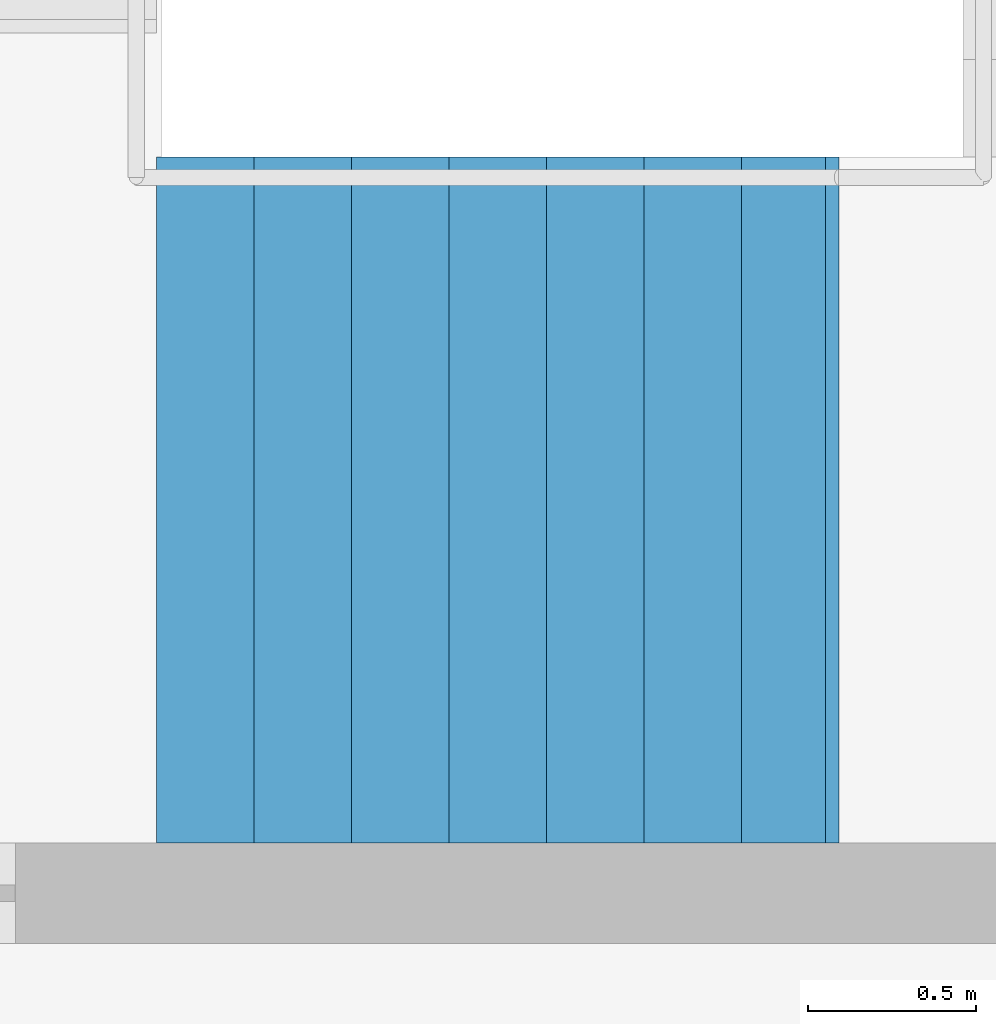
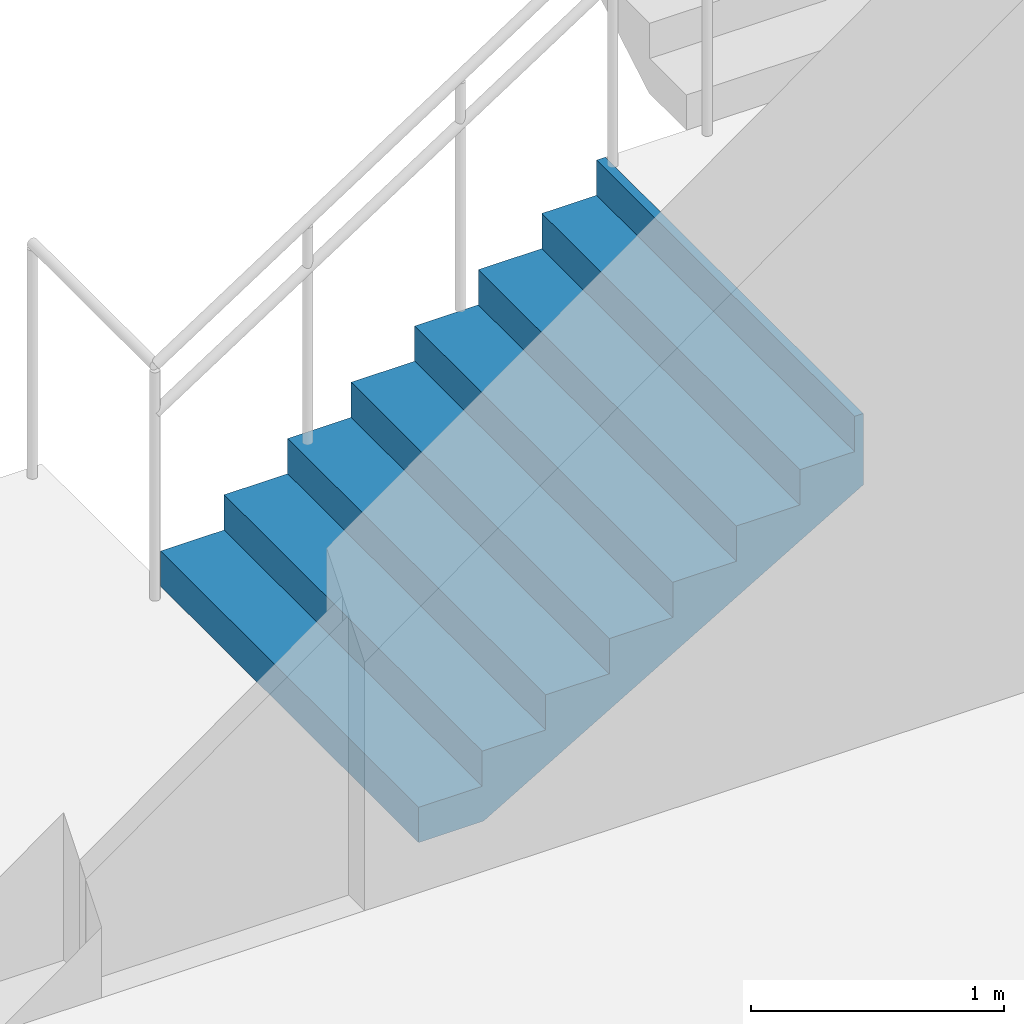
# One storey, part 35 of 50: 1 stair flight, 1 element without a shape of its own.
"""IFC4 building model written with IfcOpenShell, lengths in metres."""

from ifc_helpers import new_model, si_unit, direction, frame, origin, place, context, subcontext, project, spatial, triangles, material, type_object, element, aggregate, save


model = new_model("IFC4")

# Units and contexts
model_context = context("Model", 3, precision=1e-05, world=origin(), true_north=direction((0.0, 1.0)))
body_context = subcontext(model_context, "Body", "Model", "MODEL_VIEW")
ifc_project = project(units=[si_unit("LENGTHUNIT", "METRE"), si_unit("AREAUNIT", "SQUARE_METRE"), si_unit("VOLUMEUNIT", "CUBIC_METRE"), si_unit("PLANEANGLEUNIT", "RADIAN"), si_unit("MASSUNIT", "GRAM", prefix="KILO")], contexts=[model_context])

# Site, building, storey
site_placement = place(None, origin())
site = spatial("IfcSite", under=ifc_project, at=site_placement, CompositionType="ELEMENT")
building_placement = place(site_placement, origin())
building = spatial("IfcBuilding", under=site, at=building_placement, Name="Sillaruma Civic Art Gallery", CompositionType="ELEMENT")
storey_placement = place(building_placement, origin())
storey = spatial("IfcBuildingStorey", under=building, at=storey_placement, Name="L00", CompositionType="ELEMENT", Elevation=0.0)

# Stair, stair flight
ifc_material = material(Name="Concrete H35 (35 MPa)", Category="concrete")
stair_type = type_object("IfcStairType", Name="STR-4F-32", PredefinedType="USERDEFINED", material=ifc_material)
stair_placement = place(storey_placement, origin())
stair = element("IfcStair", 1, at=stair_placement, inside=storey, type_object=stair_type, Name="Protected Exit Stair ST-01 (West Wing) (L00)", ObjectType="THREE_RETURN_STAIR", PredefinedType="USERDEFINED")
stair_flight_type = type_object("IfcStairFlightType", Name="SFL-STR-8", PredefinedType="STRAIGHT", material=ifc_material)
stair_flight_placement = place(storey_placement, frame((27.60009765625, 101.719970703125, 0.0), z_axis=(0.0, 0.0, 1.0), x_axis=(1.0, 0.0, 0.0)))
stair_flight = element("IfcStairFlight", 2, at=stair_flight_placement, type_object=stair_flight_type, Name="ST-01 flight 1", NumberOfRisers=8, NumberOfTreads=7, PredefinedType="STRAIGHT", RiserHeight=0.17, TreadLength=0.29, context=body_context, shape_type="Tessellation", body=[
    triangles([(0.0, -1.02001953125, 0.0), (0.29, -1.02001953125, 0.0), (0.296443, -1.02001953125, 0.0), (0.58, -1.02001953125, 0.166223), (0.87, -1.02001953125, 0.336223), (1.16, -1.02001953125, 0.506223), (1.45, -1.02001953125, 0.676223), (1.74, -1.02001953125, 0.846223), (1.990029, -1.02001953125, 0.992792), (2.030029, -1.02001953125, 1.01624), (2.030029, -1.02001953125, 1.36), (1.990029, -1.02001953125, 1.36), (1.990029, -1.02001953125, 1.19), (1.74, -1.02001953125, 1.19), (1.74, -1.02001953125, 1.02), (1.45, -1.02001953125, 1.02), (1.45, -1.02001953125, 0.85), (1.16, -1.02001953125, 0.85), (1.16, -1.02001953125, 0.68), (0.87, -1.02001953125, 0.68), (0.87, -1.02001953125, 0.51), (0.58, -1.02001953125, 0.51), (0.58, -1.02001953125, 0.34), (0.296443, -1.02001953125, 0.34), (0.29, -1.02001953125, 0.34), (0.29, -1.02001953125, 0.17), (0.0, -1.02001953125, 0.17), (0.0, -0.05, 0.0), (0.29, -0.05, 0.0), (0.296443, -0.05, 0.0), (0.58, -0.05, 0.166223), (0.87, -0.05, 0.336223), (1.16, -0.05, 0.506223), (1.45, -0.05, 0.676223), (1.74, -0.05, 0.846223), (1.990029, -0.05, 0.992792), (2.030029, -0.05, 1.01624), (2.030029, -0.05, 1.36), (1.990029, -0.05, 1.36), (1.990029, -0.05, 1.19), (1.74, -0.05, 1.19), (1.74, -0.05, 1.02), (1.45, -0.05, 1.02), (1.45, -0.05, 0.85), (1.16, -0.05, 0.85), (1.16, -0.05, 0.68), (0.87, -0.05, 0.68), (0.87, -0.05, 0.51), (0.58, -0.05, 0.51), (0.58, -0.05, 0.34), (0.296443, -0.05, 0.34), (0.29, -0.05, 0.34), (0.29, -0.05, 0.17), (0.0, -0.05, 0.17), (0.0, -0.0375, 0.0), (0.29, -0.0375, 0.0), (0.296443, -0.0375, 0.0), (0.58, -0.0375, 0.166223), (0.87, -0.0375, 0.336223), (1.16, -0.0375, 0.506223), (1.45, -0.0375, 0.676223), (1.74, -0.0375, 0.846223), (1.990029, -0.0375, 0.992792), (2.030029, -0.0375, 1.01624), (2.030029, -0.0375, 1.36), (1.990029, -0.0375, 1.36), (1.990029, -0.0375, 1.19), (1.74, -0.0375, 1.19), (1.74, -0.0375, 1.02), (1.45, -0.0375, 1.02), (1.45, -0.0375, 0.85), (1.16, -0.0375, 0.85), (1.16, -0.0375, 0.68), (0.87, -0.0375, 0.68), (0.87, -0.0375, 0.51), (0.58, -0.0375, 0.51), (0.58, -0.0375, 0.34), (0.296443, -0.0375, 0.34), (0.29, -0.0375, 0.34), (0.29, -0.0375, 0.17), (0.0, -0.0375, 0.17), (0.0, -0.025, 0.0), (0.29, -0.025, 0.0), (0.296443, -0.025, 0.0), (0.58, -0.025, 0.166223), (0.87, -0.025, 0.336223), (1.16, -0.025, 0.506223), (1.45, -0.025, 0.676223), (1.74, -0.025, 0.846223), (1.990029, -0.025, 0.992792), (2.030029, -0.025, 1.01624), (2.030029, -0.025, 1.36), (1.990029, -0.025, 1.36), (1.990029, -0.025, 1.19), (1.74, -0.025, 1.19), (1.74, -0.025, 1.02), (1.45, -0.025, 1.02), (1.45, -0.025, 0.85), (1.16, -0.025, 0.85), (1.16, -0.025, 0.68), (0.87, -0.025, 0.68), (0.87, -0.025, 0.51), (0.58, -0.025, 0.51), (0.58, -0.025, 0.34), (0.296443, -0.025, 0.34), (0.29, -0.025, 0.34), (0.29, -0.025, 0.17), (0.0, -0.025, 0.17), (0.0, -0.0125, 0.0), (0.29, -0.0125, 0.0), (0.296443, -0.0125, 0.0), (0.58, -0.0125, 0.166223), (0.87, -0.0125, 0.336223), (1.16, -0.0125, 0.506223), (1.45, -0.0125, 0.676223), (1.74, -0.0125, 0.846223), (1.990029, -0.0125, 0.992792), (2.030029, -0.0125, 1.01624), (2.030029, -0.0125, 1.36), (1.990029, -0.0125, 1.36), (1.990029, -0.0125, 1.19), (1.74, -0.0125, 1.19), (1.74, -0.0125, 1.02), (1.45, -0.0125, 1.02), (1.45, -0.0125, 0.85), (1.16, -0.0125, 0.85), (1.16, -0.0125, 0.68), (0.87, -0.0125, 0.68), (0.87, -0.0125, 0.51), (0.58, -0.0125, 0.51), (0.58, -0.0125, 0.34), (0.296443, -0.0125, 0.34), (0.29, -0.0125, 0.34), (0.29, -0.0125, 0.17), (0.0, -0.0125, 0.17), (0.0, 0.0, 0.0), (0.29, 0.0, 0.0), (0.296443, 0.0, 0.0), (0.58, 0.0, 0.166223), (0.87, 0.0, 0.336223), (1.16, 0.0, 0.506223), (1.45, 0.0, 0.676223), (1.74, 0.0, 0.846223), (1.990029, 0.0, 0.992792), (2.030029, 0.0, 1.01624), (2.030029, 0.0, 1.36), (1.990029, 0.0, 1.36), (1.990029, 0.0, 1.19), (1.74, 0.0, 1.19), (1.74, 0.0, 1.02), (1.45, 0.0, 1.02), (1.45, 0.0, 0.85), (1.16, 0.0, 0.85), (1.16, 0.0, 0.68), (0.87, 0.0, 0.68), (0.87, 0.0, 0.51), (0.58, 0.0, 0.51), (0.58, 0.0, 0.34), (0.296443, 0.0, 0.34), (0.29, 0.0, 0.34), (0.29, 0.0, 0.17), (0.0, 0.0, 0.17), (0.0, 0.0125, 0.0), (0.29, 0.0125, 0.0), (0.296443, 0.0125, 0.0), (0.58, 0.0125, 0.166223), (0.87, 0.0125, 0.336223), (1.16, 0.0125, 0.506223), (1.45, 0.0125, 0.676223), (1.74, 0.0125, 0.846223), (1.990029, 0.0125, 0.992792), (2.030029, 0.0125, 1.01624), (2.030029, 0.0125, 1.36), (1.990029, 0.0125, 1.36), (1.990029, 0.0125, 1.19), (1.74, 0.0125, 1.19), (1.74, 0.0125, 1.02), (1.45, 0.0125, 1.02), (1.45, 0.0125, 0.85), (1.16, 0.0125, 0.85), (1.16, 0.0125, 0.68), (0.87, 0.0125, 0.68), (0.87, 0.0125, 0.51), (0.58, 0.0125, 0.51), (0.58, 0.0125, 0.34), (0.296443, 0.0125, 0.34), (0.29, 0.0125, 0.34), (0.29, 0.0125, 0.17), (0.0, 0.0125, 0.17), (0.0, 0.025, 0.0), (0.29, 0.025, 0.0), (0.296443, 0.025, 0.0), (0.58, 0.025, 0.166223), (0.87, 0.025, 0.336223), (1.16, 0.025, 0.506223), (1.45, 0.025, 0.676223), (1.74, 0.025, 0.846223), (1.990029, 0.025, 0.992792), (2.030029, 0.025, 1.01624), (2.030029, 0.025, 1.36), (1.990029, 0.025, 1.36), (1.990029, 0.025, 1.19), (1.74, 0.025, 1.19), (1.74, 0.025, 1.02), (1.45, 0.025, 1.02), (1.45, 0.025, 0.85), (1.16, 0.025, 0.85), (1.16, 0.025, 0.68), (0.87, 0.025, 0.68), (0.87, 0.025, 0.51), (0.58, 0.025, 0.51), (0.58, 0.025, 0.34), (0.296443, 0.025, 0.34), (0.29, 0.025, 0.34), (0.29, 0.025, 0.17), (0.0, 0.025, 0.17), (0.0, 0.0375, 0.0), (0.29, 0.0375, 0.0), (0.296443, 0.0375, 0.0), (0.58, 0.0375, 0.166223), (0.87, 0.0375, 0.336223), (1.16, 0.0375, 0.506223), (1.45, 0.0375, 0.676223), (1.74, 0.0375, 0.846223), (1.990029, 0.0375, 0.992792), (2.030029, 0.0375, 1.01624), (2.030029, 0.0375, 1.36), (1.990029, 0.0375, 1.36), (1.990029, 0.0375, 1.19), (1.74, 0.0375, 1.19), (1.74, 0.0375, 1.02), (1.45, 0.0375, 1.02), (1.45, 0.0375, 0.85), (1.16, 0.0375, 0.85), (1.16, 0.0375, 0.68), (0.87, 0.0375, 0.68), (0.87, 0.0375, 0.51), (0.58, 0.0375, 0.51), (0.58, 0.0375, 0.34), (0.296443, 0.0375, 0.34), (0.29, 0.0375, 0.34), (0.29, 0.0375, 0.17), (0.0, 0.0375, 0.17), (0.0, 0.05, 0.0), (0.29, 0.05, 0.0), (0.296443, 0.05, 0.0), (0.58, 0.05, 0.166223), (0.87, 0.05, 0.336223), (1.16, 0.05, 0.506223), (1.45, 0.05, 0.676223), (1.74, 0.05, 0.846223), (1.990029, 0.05, 0.992792), (2.030029, 0.05, 1.01624), (2.030029, 0.05, 1.36), (1.990029, 0.05, 1.36), (1.990029, 0.05, 1.19), (1.74, 0.05, 1.19), (1.74, 0.05, 1.02), (1.45, 0.05, 1.02), (1.45, 0.05, 0.85), (1.16, 0.05, 0.85), (1.16, 0.05, 0.68), (0.87, 0.05, 0.68), (0.87, 0.05, 0.51), (0.58, 0.05, 0.51), (0.58, 0.05, 0.34), (0.296443, 0.05, 0.34), (0.29, 0.05, 0.34), (0.29, 0.05, 0.17), (0.0, 0.05, 0.17), (0.0, 1.02001953125, 0.0), (0.29, 1.02001953125, 0.0), (0.296443, 1.02001953125, 0.0), (0.58, 1.02001953125, 0.166223), (0.87, 1.02001953125, 0.336223), (1.16, 1.02001953125, 0.506223), (1.45, 1.02001953125, 0.676223), (1.74, 1.02001953125, 0.846223), (1.990029, 1.02001953125, 0.992792), (2.030029, 1.02001953125, 1.01624), (2.030029, 1.02001953125, 1.36), (1.990029, 1.02001953125, 1.36), (1.990029, 1.02001953125, 1.19), (1.74, 1.02001953125, 1.19), (1.74, 1.02001953125, 1.02), (1.45, 1.02001953125, 1.02), (1.45, 1.02001953125, 0.85), (1.16, 1.02001953125, 0.85), (1.16, 1.02001953125, 0.68), (0.87, 1.02001953125, 0.68), (0.87, 1.02001953125, 0.51), (0.58, 1.02001953125, 0.51), (0.58, 1.02001953125, 0.34), (0.296443, 1.02001953125, 0.34), (0.29, 1.02001953125, 0.34), (0.29, 1.02001953125, 0.17), (0.0, 1.02001953125, 0.17)], [[1, 2, 26], [1, 26, 27], [2, 3, 24], [2, 24, 26], [26, 24, 25], [3, 4, 23], [3, 23, 24], [4, 5, 21], [4, 21, 23], [23, 21, 22], [5, 6, 19], [5, 19, 21], [21, 19, 20], [6, 7, 17], [6, 17, 19], [19, 17, 18], [7, 8, 15], [7, 15, 17], [17, 15, 16], [8, 9, 13], [8, 13, 15], [15, 13, 14], [9, 10, 11], [9, 11, 13], [13, 11, 12], [296, 272, 271], [297, 296, 271], [294, 273, 272], [296, 294, 272], [295, 294, 296], [293, 274, 273], [294, 293, 273], [291, 275, 274], [293, 291, 274], [292, 291, 293], [289, 276, 275], [291, 289, 275], [290, 289, 291], [287, 277, 276], [289, 287, 276], [288, 287, 289], [285, 278, 277], [287, 285, 277], [286, 285, 287], [283, 279, 278], [285, 283, 278], [284, 283, 285], [281, 280, 279], [283, 281, 279], [282, 281, 283], [2, 1, 28], [2, 28, 29], [3, 2, 29], [3, 29, 30], [4, 3, 30], [4, 30, 31], [5, 4, 31], [5, 31, 32], [6, 5, 32], [6, 32, 33], [7, 6, 33], [7, 33, 34], [8, 7, 34], [8, 34, 35], [9, 8, 35], [9, 35, 36], [10, 9, 36], [10, 36, 37], [11, 10, 37], [11, 37, 38], [12, 11, 38], [12, 38, 39], [13, 12, 39], [13, 39, 40], [14, 13, 40], [14, 40, 41], [15, 14, 41], [15, 41, 42], [16, 15, 42], [16, 42, 43], [17, 16, 43], [17, 43, 44], [18, 17, 44], [18, 44, 45], [19, 18, 45], [19, 45, 46], [20, 19, 46], [20, 46, 47], [21, 20, 47], [21, 47, 48], [22, 21, 48], [22, 48, 49], [23, 22, 49], [23, 49, 50], [24, 23, 50], [24, 50, 51], [25, 24, 51], [25, 51, 52], [26, 25, 52], [26, 52, 53], [27, 26, 53], [27, 53, 54], [1, 27, 54], [1, 54, 28], [29, 28, 55], [29, 55, 56], [30, 29, 56], [30, 56, 57], [31, 30, 57], [31, 57, 58], [32, 31, 58], [32, 58, 59], [33, 32, 59], [33, 59, 60], [34, 33, 60], [34, 60, 61], [35, 34, 61], [35, 61, 62], [36, 35, 62], [36, 62, 63], [37, 36, 63], [37, 63, 64], [38, 37, 64], [38, 64, 65], [39, 38, 65], [39, 65, 66], [40, 39, 66], [40, 66, 67], [41, 40, 67], [41, 67, 68], [42, 41, 68], [42, 68, 69], [43, 42, 69], [43, 69, 70], [44, 43, 70], [44, 70, 71], [45, 44, 71], [45, 71, 72], [46, 45, 72], [46, 72, 73], [47, 46, 73], [47, 73, 74], [48, 47, 74], [48, 74, 75], [49, 48, 75], [49, 75, 76], [50, 49, 76], [50, 76, 77], [51, 50, 77], [51, 77, 78], [52, 51, 78], [52, 78, 79], [53, 52, 79], [53, 79, 80], [54, 53, 80], [54, 80, 81], [28, 54, 81], [28, 81, 55], [56, 55, 82], [56, 82, 83], [57, 56, 83], [57, 83, 84], [58, 57, 84], [58, 84, 85], [59, 58, 85], [59, 85, 86], [60, 59, 86], [60, 86, 87], [61, 60, 87], [61, 87, 88], [62, 61, 88], [62, 88, 89], [63, 62, 89], [63, 89, 90], [64, 63, 90], [64, 90, 91], [65, 64, 91], [65, 91, 92], [66, 65, 92], [66, 92, 93], [67, 66, 93], [67, 93, 94], [68, 67, 94], [68, 94, 95], [69, 68, 95], [69, 95, 96], [70, 69, 96], [70, 96, 97], [71, 70, 97], [71, 97, 98], [72, 71, 98], [72, 98, 99], [73, 72, 99], [73, 99, 100], [74, 73, 100], [74, 100, 101], [75, 74, 101], [75, 101, 102], [76, 75, 102], [76, 102, 103], [77, 76, 103], [77, 103, 104], [78, 77, 104], [78, 104, 105], [79, 78, 105], [79, 105, 106], [80, 79, 106], [80, 106, 107], [81, 80, 107], [81, 107, 108], [55, 81, 108], [55, 108, 82], [83, 82, 109], [83, 109, 110], [84, 83, 110], [84, 110, 111], [85, 84, 111], [85, 111, 112], [86, 85, 112], [86, 112, 113], [87, 86, 113], [87, 113, 114], [88, 87, 114], [88, 114, 115], [89, 88, 115], [89, 115, 116], [90, 89, 116], [90, 116, 117], [91, 90, 117], [91, 117, 118], [92, 91, 118], [92, 118, 119], [93, 92, 119], [93, 119, 120], [94, 93, 120], [94, 120, 121], [95, 94, 121], [95, 121, 122], [96, 95, 122], [96, 122, 123], [97, 96, 123], [97, 123, 124], [98, 97, 124], [98, 124, 125], [99, 98, 125], [99, 125, 126], [100, 99, 126], [100, 126, 127], [101, 100, 127], [101, 127, 128], [102, 101, 128], [102, 128, 129], [103, 102, 129], [103, 129, 130], [104, 103, 130], [104, 130, 131], [105, 104, 131], [105, 131, 132], [106, 105, 132], [106, 132, 133], [107, 106, 133], [107, 133, 134], [108, 107, 134], [108, 134, 135], [82, 108, 135], [82, 135, 109], [110, 109, 136], [110, 136, 137], [111, 110, 137], [111, 137, 138], [112, 111, 138], [112, 138, 139], [113, 112, 139], [113, 139, 140], [114, 113, 140], [114, 140, 141], [115, 114, 141], [115, 141, 142], [116, 115, 142], [116, 142, 143], [117, 116, 143], [117, 143, 144], [118, 117, 144], [118, 144, 145], [119, 118, 145], [119, 145, 146], [120, 119, 146], [120, 146, 147], [121, 120, 147], [121, 147, 148], [122, 121, 148], [122, 148, 149], [123, 122, 149], [123, 149, 150], [124, 123, 150], [124, 150, 151], [125, 124, 151], [125, 151, 152], [126, 125, 152], [126, 152, 153], [127, 126, 153], [127, 153, 154], [128, 127, 154], [128, 154, 155], [129, 128, 155], [129, 155, 156], [130, 129, 156], [130, 156, 157], [131, 130, 157], [131, 157, 158], [132, 131, 158], [132, 158, 159], [133, 132, 159], [133, 159, 160], [134, 133, 160], [134, 160, 161], [135, 134, 161], [135, 161, 162], [109, 135, 162], [109, 162, 136], [137, 136, 163], [137, 163, 164], [138, 137, 164], [138, 164, 165], [139, 138, 165], [139, 165, 166], [140, 139, 166], [140, 166, 167], [141, 140, 167], [141, 167, 168], [142, 141, 168], [142, 168, 169], [143, 142, 169], [143, 169, 170], [144, 143, 170], [144, 170, 171], [145, 144, 171], [145, 171, 172], [146, 145, 172], [146, 172, 173], [147, 146, 173], [147, 173, 174], [148, 147, 174], [148, 174, 175], [149, 148, 175], [149, 175, 176], [150, 149, 176], [150, 176, 177], [151, 150, 177], [151, 177, 178], [152, 151, 178], [152, 178, 179], [153, 152, 179], [153, 179, 180], [154, 153, 180], [154, 180, 181], [155, 154, 181], [155, 181, 182], [156, 155, 182], [156, 182, 183], [157, 156, 183], [157, 183, 184], [158, 157, 184], [158, 184, 185], [159, 158, 185], [159, 185, 186], [160, 159, 186], [160, 186, 187], [161, 160, 187], [161, 187, 188], [162, 161, 188], [162, 188, 189], [136, 162, 189], [136, 189, 163], [164, 163, 190], [164, 190, 191], [165, 164, 191], [165, 191, 192], [166, 165, 192], [166, 192, 193], [167, 166, 193], [167, 193, 194], [168, 167, 194], [168, 194, 195], [169, 168, 195], [169, 195, 196], [170, 169, 196], [170, 196, 197], [171, 170, 197], [171, 197, 198], [172, 171, 198], [172, 198, 199], [173, 172, 199], [173, 199, 200], [174, 173, 200], [174, 200, 201], [175, 174, 201], [175, 201, 202], [176, 175, 202], [176, 202, 203], [177, 176, 203], [177, 203, 204], [178, 177, 204], [178, 204, 205], [179, 178, 205], [179, 205, 206], [180, 179, 206], [180, 206, 207], [181, 180, 207], [181, 207, 208], [182, 181, 208], [182, 208, 209], [183, 182, 209], [183, 209, 210], [184, 183, 210], [184, 210, 211], [185, 184, 211], [185, 211, 212], [186, 185, 212], [186, 212, 213], [187, 186, 213], [187, 213, 214], [188, 187, 214], [188, 214, 215], [189, 188, 215], [189, 215, 216], [163, 189, 216], [163, 216, 190], [191, 190, 217], [191, 217, 218], [192, 191, 218], [192, 218, 219], [193, 192, 219], [193, 219, 220], [194, 193, 220], [194, 220, 221], [195, 194, 221], [195, 221, 222], [196, 195, 222], [196, 222, 223], [197, 196, 223], [197, 223, 224], [198, 197, 224], [198, 224, 225], [199, 198, 225], [199, 225, 226], [200, 199, 226], [200, 226, 227], [201, 200, 227], [201, 227, 228], [202, 201, 228], [202, 228, 229], [203, 202, 229], [203, 229, 230], [204, 203, 230], [204, 230, 231], [205, 204, 231], [205, 231, 232], [206, 205, 232], [206, 232, 233], [207, 206, 233], [207, 233, 234], [208, 207, 234], [208, 234, 235], [209, 208, 235], [209, 235, 236], [210, 209, 236], [210, 236, 237], [211, 210, 237], [211, 237, 238], [212, 211, 238], [212, 238, 239], [213, 212, 239], [213, 239, 240], [214, 213, 240], [214, 240, 241], [215, 214, 241], [215, 241, 242], [216, 215, 242], [216, 242, 243], [190, 216, 243], [190, 243, 217], [218, 217, 244], [218, 244, 245], [219, 218, 245], [219, 245, 246], [220, 219, 246], [220, 246, 247], [221, 220, 247], [221, 247, 248], [222, 221, 248], [222, 248, 249], [223, 222, 249], [223, 249, 250], [224, 223, 250], [224, 250, 251], [225, 224, 251], [225, 251, 252], [226, 225, 252], [226, 252, 253], [227, 226, 253], [227, 253, 254], [228, 227, 254], [228, 254, 255], [229, 228, 255], [229, 255, 256], [230, 229, 256], [230, 256, 257], [231, 230, 257], [231, 257, 258], [232, 231, 258], [232, 258, 259], [233, 232, 259], [233, 259, 260], [234, 233, 260], [234, 260, 261], [235, 234, 261], [235, 261, 262], [236, 235, 262], [236, 262, 263], [237, 236, 263], [237, 263, 264], [238, 237, 264], [238, 264, 265], [239, 238, 265], [239, 265, 266], [240, 239, 266], [240, 266, 267], [241, 240, 267], [241, 267, 268], [242, 241, 268], [242, 268, 269], [243, 242, 269], [243, 269, 270], [217, 243, 270], [217, 270, 244], [245, 244, 271], [245, 271, 272], [246, 245, 272], [246, 272, 273], [247, 246, 273], [247, 273, 274], [248, 247, 274], [248, 274, 275], [249, 248, 275], [249, 275, 276], [250, 249, 276], [250, 276, 277], [251, 250, 277], [251, 277, 278], [252, 251, 278], [252, 278, 279], [253, 252, 279], [253, 279, 280], [254, 253, 280], [254, 280, 281], [255, 254, 281], [255, 281, 282], [256, 255, 282], [256, 282, 283], [257, 256, 283], [257, 283, 284], [258, 257, 284], [258, 284, 285], [259, 258, 285], [259, 285, 286], [260, 259, 286], [260, 286, 287], [261, 260, 287], [261, 287, 288], [262, 261, 288], [262, 288, 289], [263, 262, 289], [263, 289, 290], [264, 263, 290], [264, 290, 291], [265, 264, 291], [265, 291, 292], [266, 265, 292], [266, 292, 293], [267, 266, 293], [267, 293, 294], [268, 267, 294], [268, 294, 295], [269, 268, 295], [269, 295, 296], [270, 269, 296], [270, 296, 297], [244, 270, 297], [244, 297, 271]], closed=True),
])
aggregate(stair, [stair_flight])

save(model, "model.ifc")
